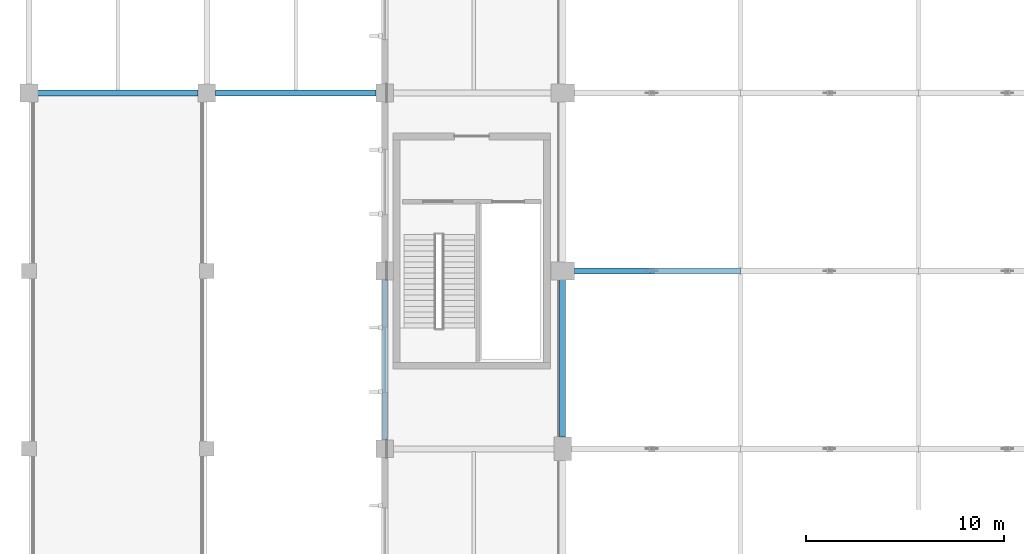
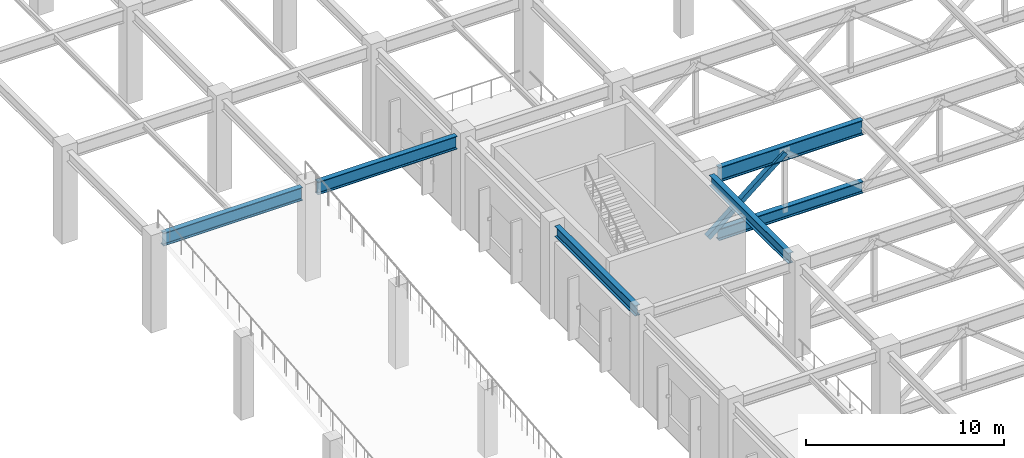
# One storey, part 20 of 223: 6 beams, 1 member.
"""IFC4 building model written with IfcOpenShell, lengths in metres."""

import ifcopenshell
import ifcopenshell.guid

model = None  # the IFC model being written
_history = None  # IfcOwnerHistory: only IFC2X3 demands one
_inside = {}  # id of a spatial element -> (the spatial element, [elements in it])
_under = {}  # id of a project, library or spatial element -> (it, [spatial elements below it])
_declared = {}  # id of a project -> (the project, [libraries it declares])
_typed = {}  # id of a type object -> (the type object, [elements of that type])
_made_of = {}  # id of a material, layer set ... -> (it, [elements and type objects made of it])


def new_model(schema):
    """Start an empty IFC model of exactly this schema.

    Asked for "IFC4X3", IfcOpenShell would pick the latest addendum, in which some entities
    have other attributes; the version numbers below select the first issue.
    IFC2X3 requires an IfcOwnerHistory on every rooted entity: one is made here for all.
    """
    global model, _history
    if schema == "IFC4X3":
        model = ifcopenshell.file(schema_version=(4, 3, 0, 0))
    else:
        model = ifcopenshell.file(schema=schema)
    _inside.clear()
    _under.clear()
    _declared.clear()
    _typed.clear()
    _made_of.clear()
    _history = None
    if model.schema == "IFC2X3":
        org = make("IfcOrganization", Name="unknown")
        user = make(
            "IfcPersonAndOrganization",
            ThePerson=make("IfcPerson", FamilyName="unknown"),
            TheOrganization=org,
        )
        app = make(
            "IfcApplication",
            ApplicationDeveloper=org,
            Version="unknown",
            ApplicationFullName="unknown",
            ApplicationIdentifier="unknown",
        )
        _history = make(
            "IfcOwnerHistory",
            OwningUser=user,
            OwningApplication=app,
            ChangeAction="ADDED",
            CreationDate=0,
        )
    return model


def make(cls, **values):
    """One entity of the class cls with the attributes given. An attribute that is None is left unset."""
    return model.create_entity(
        cls, **{name: value for name, value in values.items() if value is not None}
    )


def rooted(cls, **values):
    """An entity with a GlobalId (a new one), such as an element, a storey or a relation."""
    return make(cls, GlobalId=ifcopenshell.guid.new(), OwnerHistory=_history, **values)


def si_unit(unit_type, name, prefix=None):
    """IfcSIUnit, for example si_unit("LENGTHUNIT", "METRE", prefix="MILLI")."""
    return make("IfcSIUnit", UnitType=unit_type, Prefix=prefix, Name=name)


def assignment(units):
    """IfcUnitAssignment: the units of a project."""
    return None if units is None else make("IfcUnitAssignment", Units=units)


def point(xyz):
    """IfcCartesianPoint."""
    return None if xyz is None else make("IfcCartesianPoint", Coordinates=xyz)


def direction(xyz):
    """IfcDirection."""
    return None if xyz is None else make("IfcDirection", DirectionRatios=xyz)


def frame(location, z_axis=None, x_axis=None):
    """IfcAxis2Placement3D, a coordinate frame: its origin and axes. An axis left out is left unset."""
    return make(
        "IfcAxis2Placement3D",
        Location=point(location),
        Axis=direction(z_axis),
        RefDirection=direction(x_axis),
    )


def frame_2d(location, x_axis=None):
    """IfcAxis2Placement2D, a coordinate frame in the plane: its origin and x axis."""
    return make(
        "IfcAxis2Placement2D", Location=point(location), RefDirection=direction(x_axis)
    )


def origin():
    """The frame at (0, 0, 0) with its axes left unset."""
    return frame((0.0, 0.0, 0.0))


def origin_2d():
    """The frame at (0, 0) in the plane with its x axis left unset."""
    return frame_2d((0.0, 0.0))


def place(relative_to, where):
    """IfcLocalPlacement: puts the frame where relative to a parent placement (None: the world)."""
    return make(
        "IfcLocalPlacement", PlacementRelTo=relative_to, RelativePlacement=where
    )


def context(
    kind, dimensions, precision=None, world=None, true_north=None, identifier=None
):
    """IfcGeometricRepresentationContext, for example the 3D "Model" context."""
    return make(
        "IfcGeometricRepresentationContext",
        ContextIdentifier=identifier,
        ContextType=kind,
        CoordinateSpaceDimension=dimensions,
        Precision=precision,
        WorldCoordinateSystem=world,
        TrueNorth=true_north,
    )


def subcontext(parent, identifier, kind, view, scale=None):
    """IfcGeometricRepresentationSubContext, for example "Body" below "Model"."""
    return make(
        "IfcGeometricRepresentationSubContext",
        ContextIdentifier=identifier,
        ContextType=kind,
        ParentContext=parent,
        TargetScale=scale,
        TargetView=view,
    )


def project(units=None, contexts=None):
    """IfcProject with its units and contexts."""
    return rooted(
        "IfcProject",
        Name="project",
        RepresentationContexts=contexts,
        UnitsInContext=assignment(units),
    )


def spatial(cls, under=None, at=None, **own):
    """A site, building, storey or space (cls), placed at a placement, below another one or the project."""
    s = rooted(cls, ObjectPlacement=at, **own)
    if under is not None:
        _under.setdefault(under.id(), (under, []))[1].append(s)
    return s


def profile(cls, at=None, kind="AREA", **sizes):
    """A parametric profile (cls). Its sizes go by their IFC names, for example OverallWidth=200.0."""
    return make(cls, ProfileType=kind, Position=at, **sizes)


def hollow_rectangle(**sizes):
    """IfcRectangleHollowProfileDef."""
    return profile("IfcRectangleHollowProfileDef", **sizes)


def i_section(**sizes):
    """IfcIShapeProfileDef."""
    return profile("IfcIShapeProfileDef", **sizes)


def extrude(swept, where, along, depth):
    """IfcExtrudedAreaSolid: the profile swept, set in the frame where, extruded along a direction by depth."""
    return make(
        "IfcExtrudedAreaSolid",
        SweptArea=swept,
        Position=where,
        ExtrudedDirection=direction(along),
        Depth=depth,
    )


def shape(context_of_items, identifier, shape_type, items):
    """IfcShapeRepresentation: the items that make up one representation, for example the "Body"."""
    return make(
        "IfcShapeRepresentation",
        ContextOfItems=context_of_items,
        RepresentationIdentifier=identifier,
        RepresentationType=shape_type,
        Items=items,
    )


def material(Name=None, Category=None):
    """IfcMaterial."""
    return make("IfcMaterial", Name=Name, Category=Category)


def material_profile(
    of_material, cross_section, Name=None, Category=None, Priority=None
):
    """IfcMaterialProfile: a cross section and its material."""
    return make(
        "IfcMaterialProfile",
        Name=Name,
        Material=of_material,
        Profile=cross_section,
        Priority=Priority,
        Category=Category,
    )


def profile_set(profiles, Name=None, composite=None):
    """IfcMaterialProfileSet."""
    return make(
        "IfcMaterialProfileSet",
        Name=Name,
        MaterialProfiles=profiles,
        CompositeProfile=composite,
    )


def made_of(thing, what):
    """Note that an element or type object is made of a material, layer set ...; save() writes the relation."""
    if what is not None:
        _made_of.setdefault(what.id(), (what, []))[1].append(thing)
    return thing


def type_object(cls, material=None, **own):
    """A type object (cls), such as IfcWallType, which elements share."""
    return made_of(rooted(cls, **own), material)


def element(
    cls,
    number,
    at=None,
    inside=None,
    cuts=None,
    type_object=None,
    material=None,
    context=None,
    identifier="Body",
    shape_type=None,
    held_by="IfcProductDefinitionShape",
    body=None,
    shapes=None,
    **own,
):
    """One element of the class cls, such as IfcWall. Its Tag is "e" and its number.

    at: its placement. inside: the storey or other place that contains it. cuts: it is an
    opening in that element (IfcRelVoidsElement). A single representation is given by context,
    identifier, shape_type and body (its items); several are given by shapes. held_by: the class
    of the entity that holds the representations. save() writes the other relations.
    """
    e = rooted(cls, Tag="e%d" % number, ObjectPlacement=at, **own)
    if body is not None:
        shapes = [shape(context, identifier, shape_type, body)]
    if shapes is not None:
        e.Representation = make(held_by, Representations=shapes)
    if inside is not None:
        _inside.setdefault(inside.id(), (inside, []))[1].append(e)
    if cuts is not None:
        rooted(
            "IfcRelVoidsElement", RelatingBuildingElement=cuts, RelatedOpeningElement=e
        )
    if type_object is not None:
        _typed.setdefault(type_object.id(), (type_object, []))[1].append(e)
    return made_of(e, material)


def aggregate(whole, parts):
    """IfcRelAggregates: a whole, such as a stair, and the parts it consists of."""
    return rooted("IfcRelAggregates", RelatingObject=whole, RelatedObjects=parts)


def save(model, path):
    """Write the relations noted so far, then the file.

    IfcRelAggregates (storeys below a building ...), IfcRelContainedInSpatialStructure (elements
    in a storey), IfcRelDefinesByType, IfcRelAssociatesMaterial and IfcRelDeclares: one each for
    every whole, place, type object, material and project.
    """
    for whole, parts in _under.values():
        aggregate(whole, parts)
    for where, things in _inside.values():
        rooted(
            "IfcRelContainedInSpatialStructure",
            RelatedElements=things,
            RelatingStructure=where,
        )
    for kind, things in _typed.values():
        rooted("IfcRelDefinesByType", RelatedObjects=things, RelatingType=kind)
    for what, things in _made_of.values():
        rooted("IfcRelAssociatesMaterial", RelatedObjects=things, RelatingMaterial=what)
    for by, libraries in _declared.values():
        rooted("IfcRelDeclares", RelatingContext=by, RelatedDefinitions=libraries)
    model.write(path)


model = new_model("IFC4")

# Units and contexts
model_context = context("Model", 3, precision=1e-05, world=origin(), true_north=direction((0.0, 1.0)))
body_context = subcontext(model_context, "Body", "Model", "MODEL_VIEW")
ifc_project = project(units=[si_unit("LENGTHUNIT", "METRE"), si_unit("AREAUNIT", "SQUARE_METRE"), si_unit("VOLUMEUNIT", "CUBIC_METRE"), si_unit("PLANEANGLEUNIT", "RADIAN"), si_unit("MASSUNIT", "GRAM", prefix="KILO")], contexts=[model_context])

# Site, building, storey
site_placement = place(None, origin())
site = spatial("IfcSite", under=ifc_project, at=site_placement, CompositionType="ELEMENT")
building_placement = place(site_placement, origin())
building = spatial("IfcBuilding", under=site, at=building_placement, Name="Dornveld Trade and Exhibition Forum", CompositionType="ELEMENT")
storey_placement = place(building_placement, frame((0.0, 0.0, 6.0)))
storey = spatial("IfcBuildingStorey", under=building, at=storey_placement, Name="L01", CompositionType="ELEMENT", Elevation=6.0)

# Beams
ifc_material_1 = material(Name="Steel S355J2", Category="steel")
ifc_material_profile_1 = material_profile(ifc_material_1, i_section(OverallWidth=0.300048828125, OverallDepth=0.64990234375, WebThickness=0.01611328125, FlangeThickness=0.031005859375, FilletRadius=0.027099609375, at=origin_2d()), Name="HEB 650")
ifc_profile_set_1 = profile_set([ifc_material_profile_1], Name="Steel S355J2")
beam_type_1 = type_object("IfcBeamType", Name="BM-GIR-HEB650", PredefinedType="USERDEFINED", material=ifc_profile_set_1)
beam_1_placement = place(storey_placement, frame((18.0, 108.446044921875, 5.324951171875), z_axis=(0.0, 1.0, 0.0), x_axis=(-1.0, 0.0, 0.0)))
element("IfcBeam", 1, at=beam_1_placement, inside=storey, type_object=beam_type_1, Name="L01 Y-girder 1133", ObjectType="GIRDER", PredefinedType="USERDEFINED", context=body_context, shape_type="SweptSolid", body=[
    extrude(i_section(OverallWidth=0.300048828125, OverallDepth=0.64990234375, WebThickness=0.01611328125, FlangeThickness=0.031005859375, FilletRadius=0.027099609375, at=origin_2d()), origin(), (0.0, 0.0, 1.0), 8.10791015625),
])
beam_2_placement = place(storey_placement, frame((27.0, 108.595947265625, 5.31298828125), z_axis=(0.0, 1.0, 0.0), x_axis=(-1.0, 0.0, 0.0)))
element("IfcBeam", 2, at=beam_2_placement, inside=storey, type_object=beam_type_1, Name="L01 Y-girder 1143", ObjectType="GIRDER", PredefinedType="USERDEFINED", context=body_context, shape_type="SweptSolid", body=[
    extrude(i_section(OverallWidth=0.300048828125, OverallDepth=0.64990234375, WebThickness=0.01611328125, FlangeThickness=0.031005859375, FilletRadius=0.027099609375, at=origin_2d()), origin(), (0.0, 0.0, 1.0), 7.9580078125),
])
ifc_material_2 = material(Name="Steel S355J2", Category="steel")
ifc_material_profile_2 = material_profile(ifc_material_2, i_section(OverallWidth=0.300048828125, OverallDepth=0.800048828125, WebThickness=0.017578125, FlangeThickness=0.032958984375, FilletRadius=0.030029296875, at=origin_2d()), Name="HEB 800")
ifc_profile_set_2 = profile_set([ifc_material_profile_2], Name="Steel S355J2")
beam_type_2 = type_object("IfcBeamType", Name="BM-GIR-HEB800", PredefinedType="USERDEFINED", material=ifc_profile_set_2)
for number, where, z_axis, x_axis, name in (
    (3, (0.446044921875, 126.0, 5.25), (1.0, 0.0, 0.0), (0.0, 1.0, 0.0), "L01 X-girder 1074"),
    (4, (9.446044921875, 126.0, 5.25), (1.0, 0.0, 0.0), (0.0, 1.0, 0.0), "L01 X-girder 1075"),
):
    element("IfcBeam", number, at=place(storey_placement, frame(where, z_axis=z_axis, x_axis=x_axis)), inside=storey, type_object=beam_type_2, Name=name, ObjectType="GIRDER", PredefinedType="USERDEFINED", context=body_context, shape_type="SweptSolid", body=[
        extrude(i_section(OverallWidth=0.300048828125, OverallDepth=0.800048828125, WebThickness=0.017578125, FlangeThickness=0.032958984375, FilletRadius=0.030029296875, at=origin_2d()), origin(), (0.0, 0.0, 1.0), 8.10791015625),
    ])
ifc_material_3 = material(Name="Steel S355J2", Category="steel")
ifc_material_profile_3 = material_profile(ifc_material_3, i_section(OverallWidth=0.303955078125, OverallDepth=0.716064453125, WebThickness=0.02099609375, FlangeThickness=0.0400390625, FilletRadius=0.027099609375, at=origin_2d()), Name="HEM 700")
ifc_profile_set_3 = profile_set([ifc_material_profile_3], Name="Steel S355J2")
beam_type_3 = type_object("IfcBeamType", Name="BM-TG-BOT700", PredefinedType="USERDEFINED", material=ifc_profile_set_3)
beam_3_placement = place(storey_placement, frame((27.595947265625, 117.0, 1.5), z_axis=(1.0, 0.0, 0.0), x_axis=(0.0, 1.0, 0.0)))
element("IfcBeam", 5, at=beam_3_placement, inside=storey, type_object=beam_type_3, Name="Hall 3 transfer truss 9 bottom chord 1", ObjectType="GIRDER", PredefinedType="USERDEFINED", context=body_context, shape_type="SweptSolid", body=[
    extrude(i_section(OverallWidth=0.303955078125, OverallDepth=0.716064453125, WebThickness=0.02099609375, FlangeThickness=0.0400390625, FilletRadius=0.027099609375, at=origin_2d()), origin(), (0.0, 0.0, 1.0), 8.404052734375),
])
ifc_material_4 = material(Name="Steel S355J2", Category="steel")
ifc_material_profile_4 = material_profile(ifc_material_4, i_section(OverallWidth=0.302001953125, OverallDepth=0.909912109375, WebThickness=0.02099609375, FlangeThickness=0.0400390625, FilletRadius=0.030029296875, at=origin_2d()), Name="HEM 900")
ifc_profile_set_4 = profile_set([ifc_material_profile_4], Name="Steel S355J2")
beam_type_4 = type_object("IfcBeamType", Name="BM-TG-TOP900", PredefinedType="USERDEFINED", material=ifc_profile_set_4)
beam_4_placement = place(storey_placement, frame((27.595947265625, 117.0, 5.18505859375), z_axis=(1.0, 0.0, 0.0), x_axis=(0.0, 1.0, 0.0)))
element("IfcBeam", 6, at=beam_4_placement, inside=storey, type_object=beam_type_4, Name="Hall 3 transfer truss 9 top chord 1", ObjectType="GIRDER", PredefinedType="USERDEFINED", context=body_context, shape_type="SweptSolid", body=[
    extrude(i_section(OverallWidth=0.302001953125, OverallDepth=0.909912109375, WebThickness=0.02099609375, FlangeThickness=0.0400390625, FilletRadius=0.030029296875, at=origin_2d()), origin(), (0.0, 0.0, 1.0), 8.404052734375),
])

# Member
ifc_material_5 = material(Name="Steel S355J2", Category="steel")
ifc_material_profile_5 = material_profile(ifc_material_5, hollow_rectangle(XDim=0.300048828125, YDim=0.300048828125, WallThickness=0.01611328125, at=origin_2d()), Name="SHS 300x300x16")
ifc_profile_set_5 = profile_set([ifc_material_profile_5], Name="Steel S355J2")
member_type = type_object("IfcMemberType", Name="MEM-XFER-WEB", PredefinedType="BRACE", material=ifc_profile_set_5)
member_placement = place(storey_placement, frame((27.0, 117.0, 1.5), z_axis=(0.773684181611, 0.0, 0.633571453843), x_axis=(0.0, 1.0, 0.0)))
element("IfcMember", 7, at=member_placement, inside=storey, type_object=member_type, Name="Transfer truss 9 web 145", PredefinedType="BRACE", context=body_context, shape_type="SweptSolid", body=[
    extrude(hollow_rectangle(XDim=0.300048828125, YDim=0.300048828125, WallThickness=0.01611328125, at=origin_2d()), origin(), (0.0, 0.0, 1.0), 5.81640625),
])

save(model, "model.ifc")
